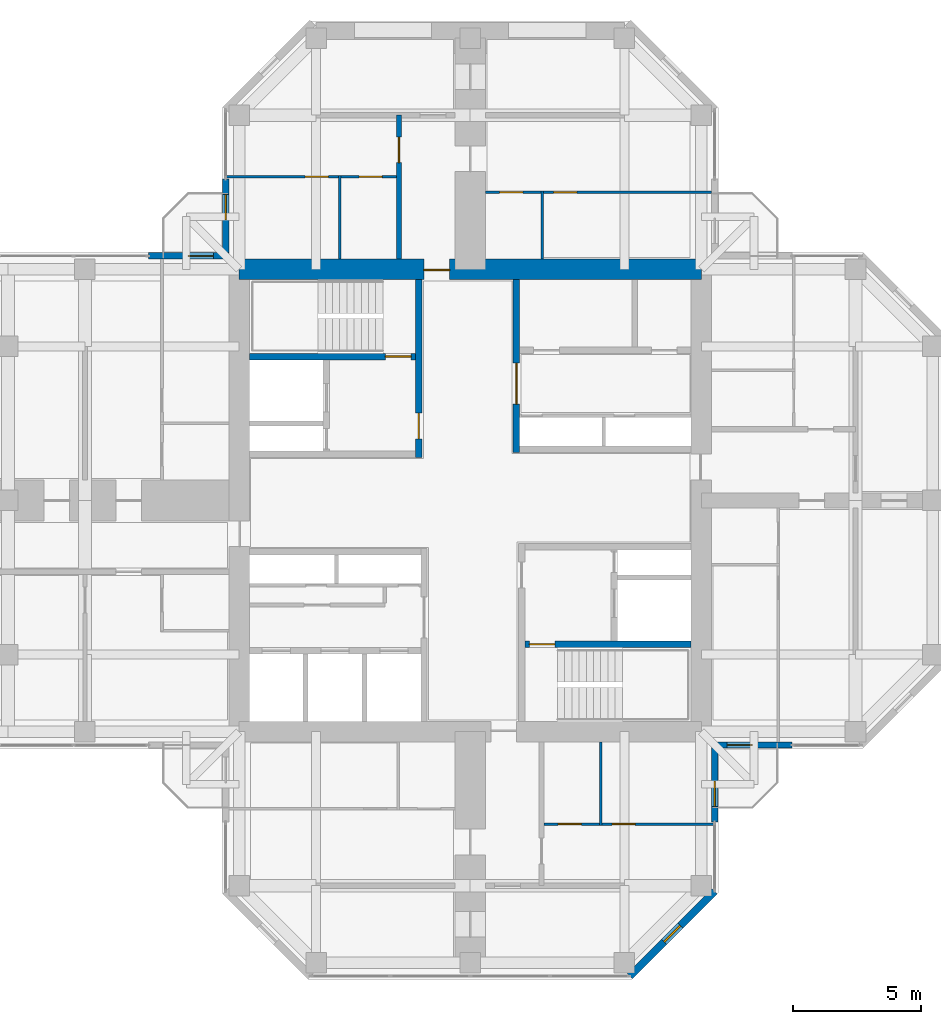
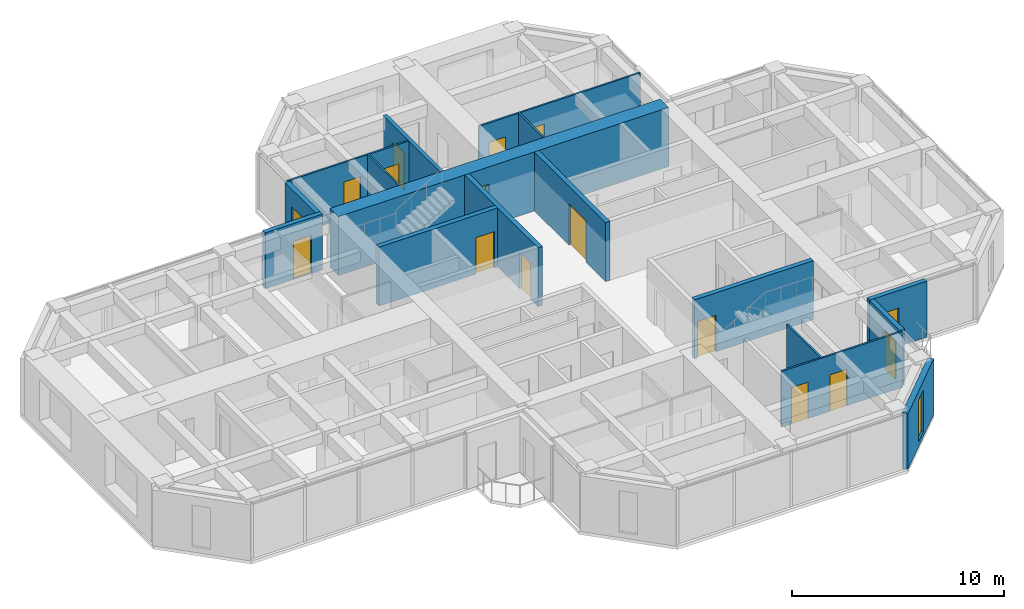
# One storey, part 10 of 13: 17 walls, 16 doors, 1 window, 17 openings.
"""IFC4 building model written with IfcOpenShell, lengths in metres."""

from ifc_helpers import new_model, si_unit, direction, frame, frame_2d, origin, place, context, subcontext, project, spatial, rectangle, hollow_rectangle, extrude, material, layer, layer_set, constituent, constituent_set, type_object, element, fill, save


model = new_model("IFC4")

# Units and contexts
model_context = context("Model", 3, precision=1e-05, world=origin(), true_north=direction((0.0, 1.0)))
body_context = subcontext(model_context, "Body", "Model", "MODEL_VIEW")
ifc_project = project(units=[si_unit("LENGTHUNIT", "METRE"), si_unit("AREAUNIT", "SQUARE_METRE"), si_unit("VOLUMEUNIT", "CUBIC_METRE"), si_unit("PLANEANGLEUNIT", "RADIAN"), si_unit("MASSUNIT", "GRAM", prefix="KILO")], contexts=[model_context])

# Site, building, storey
site_placement = place(None, origin())
site = spatial("IfcSite", under=ifc_project, at=site_placement, CompositionType="ELEMENT")
building_placement = place(site_placement, origin())
building = spatial("IfcBuilding", under=site, at=building_placement, Name="Torre Cruceta", CompositionType="ELEMENT")
storey_placement = place(building_placement, frame((0.0, 0.0, 235.699951171875)))
storey = spatial("IfcBuildingStorey", under=building, at=storey_placement, Name="L60", CompositionType="ELEMENT", Elevation=235.699951171875)

# Wall
ifc_material_1 = material(Name="Water-resistant plasterboard on steel studs", Category="steel")
ifc_layer_1 = layer(ifc_material_1, 0.10009765625)
ifc_layer_set_1 = layer_set([ifc_layer_1], Name="Water-resistant plasterboard on steel studs")
wall_type_1 = type_object("IfcWallType", Name="BATHROOM WALL 100", PredefinedType="PARTITIONING", material=ifc_layer_set_1)
wall_1_placement = place(storey_placement, frame((-5.074951171875, 9.39990234375, 0.0), z_axis=(0.0, 0.0, 1.0), x_axis=(0.0, 1.0, 0.0)))
element("IfcWall", 1, at=wall_1_placement, inside=storey, type_object=wall_type_1, Name="PT4 L60-N-U1LBB", PredefinedType="PARTITIONING", context=body_context, shape_type="SweptSolid", body=[
    extrude(rectangle(XDim=3.25, YDim=0.10009765625, at=frame_2d((1.625, 0.0))), origin(), (0.0, 0.0, 1.0), 3.219970703125),
])

# Wall, openings, doors
wall_2_placement = place(storey_placement, frame((-2.875, 12.60009765625, 0.0), z_axis=(0.0, 0.0, 1.0), x_axis=(-1.0, 0.0, 0.0)))
wall_2 = element("IfcWall", 2, at=wall_2_placement, inside=storey, type_object=wall_type_1, Name="PT4 L60-N-U1LBS", PredefinedType="PARTITIONING", context=body_context, shape_type="SweptSolid", body=[
    extrude(rectangle(XDim=6.60498046875, YDim=0.10009765625, at=frame_2d((3.302490234375, 0.0))), origin(), (0.0, 0.0, 1.0), 3.219970703125),
])
opening_1_placement = place(wall_2_placement, frame((0.550048828125, 0.0, 0.0)))
opening_1 = element("IfcOpeningElement", 3, at=opening_1_placement, cuts=wall_2, Name="Opening D7", PredefinedType="OPENING", context=body_context, shape_type="SweptSolid", body=[
    extrude(rectangle(XDim=0.89990234375, YDim=2.10009765625, at=frame_2d((0.449951171875, 1.050048828125))), frame((0.0, 0.06005859375, 0.0), z_axis=(0.0, -1.0, 0.0), x_axis=(1.0, 0.0, 0.0)), (0.0, 0.0, 1.0), 0.1201171875),
])
opening_2_placement = place(wall_2_placement, frame((2.64990234375, 0.0, 0.0)))
opening_2 = element("IfcOpeningElement", 4, at=opening_2_placement, cuts=wall_2, Name="Opening D7", PredefinedType="OPENING", context=body_context, shape_type="SweptSolid", body=[
    extrude(rectangle(XDim=0.89990234375, YDim=2.10009765625, at=frame_2d((0.449951171875, 1.050048828125))), frame((0.0, 0.06005859375, 0.0), z_axis=(0.0, -1.0, 0.0), x_axis=(1.0, 0.0, 0.0)), (0.0, 0.0, 1.0), 0.1201171875),
])
ifc_material_2 = material(Name="Timber door", Category="wood")
door_type_1 = type_object("IfcDoorType", Name="BATHROOM DOOR 900X2100", OperationType="SINGLE_SWING_LEFT", PredefinedType="DOOR", material=ifc_material_2)
door_1_placement = place(opening_1_placement, origin())
door_1 = element("IfcDoor", 5, at=door_1_placement, inside=storey, type_object=door_type_1, Name="D7 L60-N-U1LBS-D1", OperationType="SINGLE_SWING_LEFT", OverallHeight=2.10009765625, OverallWidth=0.89990234375, PredefinedType="DOOR", context=body_context, shape_type="SweptSolid", body=[
    extrude(rectangle(XDim=0.89990234375, YDim=2.10009765625, at=frame_2d((0.449951171875, 1.050048828125))), frame((0.0, 0.02490234375, 0.0), z_axis=(0.0, -1.0, 0.0), x_axis=(1.0, 0.0, 0.0)), (0.0, 0.0, 1.0), 0.050048828125),
])
fill(opening_1, door_1)
door_2_placement = place(opening_2_placement, origin())
door_2 = element("IfcDoor", 6, at=door_2_placement, inside=storey, type_object=door_type_1, Name="D7 L60-N-U1LBS-D2", OperationType="SINGLE_SWING_LEFT", OverallHeight=2.10009765625, OverallWidth=0.89990234375, PredefinedType="DOOR", context=body_context, shape_type="SweptSolid", body=[
    extrude(rectangle(XDim=0.89990234375, YDim=2.10009765625, at=frame_2d((0.449951171875, 1.050048828125))), frame((0.0, 0.02490234375, 0.0), z_axis=(0.0, -1.0, 0.0), x_axis=(1.0, 0.0, 0.0)), (0.0, 0.0, 1.0), 0.050048828125),
])
fill(opening_2, door_2)

# Wall
wall_3_placement = place(storey_placement, frame((2.800048828125, 9.39990234375, 0.0), z_axis=(0.0, 0.0, 1.0), x_axis=(0.0, 1.0, 0.0)))
element("IfcWall", 7, at=wall_3_placement, inside=storey, type_object=wall_type_1, Name="PT4 L60-N-U1RBB", PredefinedType="PARTITIONING", context=body_context, shape_type="SweptSolid", body=[
    extrude(rectangle(XDim=2.650146484375, YDim=0.10009765625, at=frame_2d((1.3251953125, 0.0))), origin(), (0.0, 0.0, 1.0), 3.219970703125),
])

# Wall, openings, doors
wall_4_placement = place(storey_placement, frame((9.39501953125, 12.0, 0.0), z_axis=(0.0, 0.0, 1.0), x_axis=(-1.0, 0.0, 0.0)))
wall_4 = element("IfcWall", 8, at=wall_4_placement, inside=storey, type_object=wall_type_1, Name="PT4 L60-N-U1RBS", PredefinedType="PARTITIONING", context=body_context, shape_type="SweptSolid", body=[
    extrude(rectangle(XDim=8.794921875, YDim=0.10009765625, at=frame_2d((4.3974609375, 0.0))), origin(), (0.0, 0.0, 1.0), 3.219970703125),
])
opening_3_placement = place(wall_4_placement, frame((5.2451171875, 0.0, 0.0)))
opening_3 = element("IfcOpeningElement", 9, at=opening_3_placement, cuts=wall_4, Name="Opening D7", PredefinedType="OPENING", context=body_context, shape_type="SweptSolid", body=[
    extrude(rectangle(XDim=0.89990234375, YDim=2.10009765625, at=frame_2d((0.449951171875, 1.050048828125))), frame((0.0, 0.06005859375, 0.0), z_axis=(0.0, -1.0, 0.0), x_axis=(1.0, 0.0, 0.0)), (0.0, 0.0, 1.0), 0.1201171875),
])
opening_4_placement = place(wall_4_placement, frame((7.344970703125, 0.0, 0.0)))
opening_4 = element("IfcOpeningElement", 10, at=opening_4_placement, cuts=wall_4, Name="Opening D7", PredefinedType="OPENING", context=body_context, shape_type="SweptSolid", body=[
    extrude(rectangle(XDim=0.89990234375, YDim=2.10009765625, at=frame_2d((0.449951171875, 1.050048828125))), frame((0.0, 0.06005859375, 0.0), z_axis=(0.0, -1.0, 0.0), x_axis=(1.0, 0.0, 0.0)), (0.0, 0.0, 1.0), 0.1201171875),
])
door_3_placement = place(opening_3_placement, origin())
door_3 = element("IfcDoor", 11, at=door_3_placement, inside=storey, type_object=door_type_1, Name="D7 L60-N-U1RBS-D1", OperationType="SINGLE_SWING_RIGHT", OverallHeight=2.10009765625, OverallWidth=0.89990234375, PredefinedType="DOOR", context=body_context, shape_type="SweptSolid", body=[
    extrude(rectangle(XDim=0.89990234375, YDim=2.10009765625, at=frame_2d((0.449951171875, 1.050048828125))), frame((0.0, 0.02490234375, 0.0), z_axis=(0.0, -1.0, 0.0), x_axis=(1.0, 0.0, 0.0)), (0.0, 0.0, 1.0), 0.050048828125),
])
fill(opening_3, door_3)
door_4_placement = place(opening_4_placement, origin())
door_4 = element("IfcDoor", 12, at=door_4_placement, inside=storey, type_object=door_type_1, Name="D7 L60-N-U1RBS-D2", OperationType="SINGLE_SWING_RIGHT", OverallHeight=2.10009765625, OverallWidth=0.89990234375, PredefinedType="DOOR", context=body_context, shape_type="SweptSolid", body=[
    extrude(rectangle(XDim=0.89990234375, YDim=2.10009765625, at=frame_2d((0.449951171875, 1.050048828125))), frame((0.0, 0.02490234375, 0.0), z_axis=(0.0, -1.0, 0.0), x_axis=(1.0, 0.0, 0.0)), (0.0, 0.0, 1.0), 0.050048828125),
])
fill(opening_4, door_4)

# Wall
wall_5_placement = place(storey_placement, frame((5.074951171875, -9.39990234375, 0.0), z_axis=(0.0, 0.0, 1.0), x_axis=(0.0, -1.0, 0.0)))
element("IfcWall", 13, at=wall_5_placement, inside=storey, type_object=wall_type_1, Name="PT4 L60-S-U1LBB", PredefinedType="PARTITIONING", context=body_context, shape_type="SweptSolid", body=[
    extrude(rectangle(XDim=3.25, YDim=0.10009765625, at=frame_2d((1.625, 0.0))), origin(), (0.0, 0.0, 1.0), 3.219970703125),
])

# Wall, openings, doors
wall_6_placement = place(storey_placement, frame((2.875, -12.60009765625, 0.0), z_axis=(0.0, 0.0, 1.0), x_axis=(1.0, 0.0, 0.0)))
wall_6 = element("IfcWall", 14, at=wall_6_placement, inside=storey, type_object=wall_type_1, Name="PT4 L60-S-U1LBS", PredefinedType="PARTITIONING", context=body_context, shape_type="SweptSolid", body=[
    extrude(rectangle(XDim=6.60498046875, YDim=0.10009765625, at=frame_2d((3.302490234375, 0.0))), origin(), (0.0, 0.0, 1.0), 3.219970703125),
])
opening_5_placement = place(wall_6_placement, frame((0.550048828125, 0.0, 0.0)))
opening_5 = element("IfcOpeningElement", 15, at=opening_5_placement, cuts=wall_6, Name="Opening D7", PredefinedType="OPENING", context=body_context, shape_type="SweptSolid", body=[
    extrude(rectangle(XDim=0.89990234375, YDim=2.10009765625, at=frame_2d((0.449951171875, 1.050048828125))), frame((0.0, 0.06005859375, 0.0), z_axis=(0.0, -1.0, 0.0), x_axis=(1.0, 0.0, 0.0)), (0.0, 0.0, 1.0), 0.1201171875),
])
opening_6_placement = place(wall_6_placement, frame((2.64990234375, 0.0, 0.0)))
opening_6 = element("IfcOpeningElement", 16, at=opening_6_placement, cuts=wall_6, Name="Opening D7", PredefinedType="OPENING", context=body_context, shape_type="SweptSolid", body=[
    extrude(rectangle(XDim=0.89990234375, YDim=2.10009765625, at=frame_2d((0.449951171875, 1.050048828125))), frame((0.0, 0.06005859375, 0.0), z_axis=(0.0, -1.0, 0.0), x_axis=(1.0, 0.0, 0.0)), (0.0, 0.0, 1.0), 0.1201171875),
])
door_5_placement = place(opening_5_placement, origin())
door_5 = element("IfcDoor", 17, at=door_5_placement, inside=storey, type_object=door_type_1, Name="D7 L60-S-U1LBS-D1", OperationType="SINGLE_SWING_LEFT", OverallHeight=2.10009765625, OverallWidth=0.89990234375, PredefinedType="DOOR", context=body_context, shape_type="SweptSolid", body=[
    extrude(rectangle(XDim=0.89990234375, YDim=2.10009765625, at=frame_2d((0.449951171875, 1.050048828125))), frame((0.0, 0.02490234375, 0.0), z_axis=(0.0, -1.0, 0.0), x_axis=(1.0, 0.0, 0.0)), (0.0, 0.0, 1.0), 0.050048828125),
])
fill(opening_5, door_5)
door_6_placement = place(opening_6_placement, origin())
door_6 = element("IfcDoor", 18, at=door_6_placement, inside=storey, type_object=door_type_1, Name="D7 L60-S-U1LBS-D2", OperationType="SINGLE_SWING_LEFT", OverallHeight=2.10009765625, OverallWidth=0.89990234375, PredefinedType="DOOR", context=body_context, shape_type="SweptSolid", body=[
    extrude(rectangle(XDim=0.89990234375, YDim=2.10009765625, at=frame_2d((0.449951171875, 1.050048828125))), frame((0.0, 0.02490234375, 0.0), z_axis=(0.0, -1.0, 0.0), x_axis=(1.0, 0.0, 0.0)), (0.0, 0.0, 1.0), 0.050048828125),
])
fill(opening_6, door_6)

# Wall, opening, door
ifc_material_3 = material(Name="Concrete G60 (fck 60 MPa)", Category="concrete")
ifc_layer_2 = layer(ifc_material_3, 0.25)
ifc_layer_set_2 = layer_set([ifc_layer_2], Name="Concrete G60 (fck 60 MPa)")
wall_type_2 = type_object("IfcWallType", Name="CORE INNER WALL 250 G60", PredefinedType="SHEAR", material=ifc_layer_set_2)
wall_7_placement = place(storey_placement, frame((1.800048828125, 1.875, 0.0), z_axis=(0.0, 0.0, 1.0), x_axis=(0.0, 1.0, 0.0)))
wall_7 = element("IfcWall", 19, at=wall_7_placement, inside=storey, type_object=wall_type_2, Name="CW4 L60 NE-CU", PredefinedType="SHEAR", context=body_context, shape_type="SweptSolid", body=[
    extrude(rectangle(XDim=6.72509765625, YDim=0.25, at=frame_2d((3.362548828125, 0.0))), origin(), (0.0, 0.0, 1.0), 3.400146484375),
])
opening_7_placement = place(wall_7_placement, frame((1.875, 0.0, 0.0)))
opening_7 = element("IfcOpeningElement", 20, at=opening_7_placement, cuts=wall_7, Name="Opening D15", PredefinedType="OPENING", context=body_context, shape_type="SweptSolid", body=[
    extrude(rectangle(XDim=1.60009765625, YDim=2.39990234375, at=frame_2d((0.800048828125, 1.199951171875))), frame((0.0, 0.135009765625, 0.0), z_axis=(0.0, -1.0, 0.0), x_axis=(1.0, 0.0, 0.0)), (0.0, 0.0, 1.0), 0.27001953125),
])
ifc_material_4 = material(Name="Steel DX51D", Category="steel")
ifc_constituent_1 = constituent(ifc_material_4, Name="Leaf and frame")
ifc_material_5 = material(Name="Polyester powder coating", Category="paint")
ifc_constituent_2 = constituent(ifc_material_5, Name="Finish")
ifc_constituent_set_1 = constituent_set(constituents=[ifc_constituent_1, ifc_constituent_2], Name="Steel fire door")
door_type_2 = type_object("IfcDoorType", Name="CORE ROOM DOUBLE DOOR 1600X2400", OperationType="DOUBLE_DOOR_SINGLE_SWING", PredefinedType="DOOR", material=ifc_constituent_set_1)
door_7_placement = place(opening_7_placement, frame((1.60009765625, 0.0, 0.0), z_axis=(0.0, 0.0, 1.0), x_axis=(-1.0, 0.0, 0.0)))
door_7 = element("IfcDoor", 21, at=door_7_placement, inside=storey, type_object=door_type_2, Name="D15 L60 NE-LOBBY", OperationType="DOUBLE_DOOR_SINGLE_SWING", OverallHeight=2.39990234375, OverallWidth=1.60009765625, PredefinedType="DOOR", context=body_context, shape_type="SweptSolid", body=[
    extrude(rectangle(XDim=1.60009765625, YDim=2.39990234375, at=frame_2d((0.800048828125, 1.199951171875))), frame((0.0, 0.025146484375, 0.0), z_axis=(0.0, -1.0, 0.0), x_axis=(1.0, 0.0, 0.0)), (0.0, 0.0, 1.0), 0.050048828125),
])
fill(opening_7, door_7)

wall_8_placement = place(storey_placement, frame((-2.0, 1.675048828125, 0.0), z_axis=(0.0, 0.0, 1.0), x_axis=(0.0, 1.0, 0.0)))
wall_8 = element("IfcWall", 22, at=wall_8_placement, inside=storey, type_object=wall_type_2, Name="CW4 L60 NW-CU", PredefinedType="SHEAR", context=body_context, shape_type="SweptSolid", body=[
    extrude(rectangle(XDim=6.925048828125, YDim=0.25, at=frame_2d((3.46240234375, 0.0))), origin(), (0.0, 0.0, 1.0), 3.400146484375),
])
opening_8_placement = place(wall_8_placement, frame((0.72509765625, 0.0, 0.0)))
opening_8 = element("IfcOpeningElement", 23, at=opening_8_placement, cuts=wall_8, Name="Opening D3", PredefinedType="OPENING", context=body_context, shape_type="SweptSolid", body=[
    extrude(rectangle(XDim=1.0, YDim=2.10009765625, at=frame_2d((0.5, 1.050048828125))), frame((0.0, 0.135009765625, 0.0), z_axis=(0.0, -1.0, 0.0), x_axis=(1.0, 0.0, 0.0)), (0.0, 0.0, 1.0), 0.27001953125),
])
ifc_material_6 = material(Name="Steel DX51D", Category="steel")
ifc_constituent_3 = constituent(ifc_material_6, Name="Leaf and frame")
ifc_material_7 = material(Name="Polyester powder coating", Category="paint")
ifc_constituent_4 = constituent(ifc_material_7, Name="Finish")
ifc_constituent_set_2 = constituent_set(constituents=[ifc_constituent_3, ifc_constituent_4], Name="Steel fire door")
door_type_3 = type_object("IfcDoorType", Name="FIRE DOOR 1000X2100", OperationType="SINGLE_SWING_LEFT", PredefinedType="DOOR", material=ifc_constituent_set_2)
door_8_placement = place(opening_8_placement, origin())
door_8 = element("IfcDoor", 24, at=door_8_placement, inside=storey, type_object=door_type_3, Name="D3 L60 NW-LOBBY", OperationType="SINGLE_SWING_LEFT", OverallHeight=2.10009765625, OverallWidth=1.0, PredefinedType="DOOR", context=body_context, shape_type="SweptSolid", body=[
    extrude(rectangle(XDim=1.0, YDim=2.10009765625, at=frame_2d((0.5, 1.050048828125))), frame((0.0, 0.02490234375, 0.0), z_axis=(0.0, -1.0, 0.0), x_axis=(1.0, 0.0, 0.0)), (0.0, 0.0, 1.0), 0.050048828125),
])
fill(opening_8, door_8)

wall_9_placement = place(storey_placement, frame((-2.125, 5.60009765625, 0.0), z_axis=(0.0, 0.0, 1.0), x_axis=(-1.0, 0.0, 0.0)))
wall_9 = element("IfcWall", 25, at=wall_9_placement, inside=storey, type_object=wall_type_2, Name="CW4 L60 NW-SV", PredefinedType="SHEAR", context=body_context, shape_type="SweptSolid", body=[
    extrude(rectangle(XDim=6.47509765625, YDim=0.25, at=frame_2d((3.237548828125, 0.0))), origin(), (0.0, 0.0, 1.0), 3.400146484375),
])
opening_9_placement = place(wall_9_placement, frame((0.175048828125, 0.0, 0.0)))
opening_9 = element("IfcOpeningElement", 26, at=opening_9_placement, cuts=wall_9, Name="Opening D3", PredefinedType="OPENING", context=body_context, shape_type="SweptSolid", body=[
    extrude(rectangle(XDim=1.0, YDim=2.10009765625, at=frame_2d((0.5, 1.050048828125))), frame((0.0, 0.135009765625, 0.0), z_axis=(0.0, -1.0, 0.0), x_axis=(1.0, 0.0, 0.0)), (0.0, 0.0, 1.0), 0.27001953125),
])
door_9_placement = place(opening_9_placement, frame((1.0, 0.0, 0.0), z_axis=(0.0, 0.0, 1.0), x_axis=(-1.0, 0.0, 0.0)))
door_9 = element("IfcDoor", 27, at=door_9_placement, inside=storey, type_object=door_type_3, Name="D3 L60 NW-STAIR", OperationType="SINGLE_SWING_RIGHT", OverallHeight=2.10009765625, OverallWidth=1.0, PredefinedType="DOOR", context=body_context, shape_type="SweptSolid", body=[
    extrude(rectangle(XDim=1.0, YDim=2.10009765625, at=frame_2d((0.5, 1.050048828125))), frame((0.0, 0.025146484375, 0.0), z_axis=(0.0, -1.0, 0.0), x_axis=(1.0, 0.0, 0.0)), (0.0, 0.0, 1.0), 0.050048828125),
])
fill(opening_9, door_9)

wall_10_placement = place(storey_placement, frame((2.125, -5.60009765625, 0.0), z_axis=(0.0, 0.0, 1.0), x_axis=(1.0, 0.0, 0.0)))
wall_10 = element("IfcWall", 28, at=wall_10_placement, inside=storey, type_object=wall_type_2, Name="CW4 L60 SE-SV", PredefinedType="SHEAR", context=body_context, shape_type="SweptSolid", body=[
    extrude(rectangle(XDim=6.47509765625, YDim=0.25, at=frame_2d((3.237548828125, 0.0))), origin(), (0.0, 0.0, 1.0), 3.400146484375),
])
opening_10_placement = place(wall_10_placement, frame((0.175048828125, 0.0, 0.0)))
opening_10 = element("IfcOpeningElement", 29, at=opening_10_placement, cuts=wall_10, Name="Opening D3", PredefinedType="OPENING", context=body_context, shape_type="SweptSolid", body=[
    extrude(rectangle(XDim=1.0, YDim=2.10009765625, at=frame_2d((0.5, 1.050048828125))), frame((0.0, 0.135009765625, 0.0), z_axis=(0.0, -1.0, 0.0), x_axis=(1.0, 0.0, 0.0)), (0.0, 0.0, 1.0), 0.27001953125),
])
door_10_placement = place(opening_10_placement, frame((1.0, 0.0, 0.0), z_axis=(0.0, 0.0, 1.0), x_axis=(-1.0, 0.0, 0.0)))
door_10 = element("IfcDoor", 30, at=door_10_placement, inside=storey, type_object=door_type_3, Name="D3 L60 SE-STAIR", OperationType="SINGLE_SWING_RIGHT", OverallHeight=2.10009765625, OverallWidth=1.0, PredefinedType="DOOR", context=body_context, shape_type="SweptSolid", body=[
    extrude(rectangle(XDim=1.0, YDim=2.10009765625, at=frame_2d((0.5, 1.050048828125))), frame((0.0, 0.025146484375, 0.0), z_axis=(0.0, -1.0, 0.0), x_axis=(1.0, 0.0, 0.0)), (0.0, 0.0, 1.0), 0.050048828125),
])
fill(opening_10, door_10)

ifc_material_8 = material(Name="Concrete G60 (fck 60 MPa)", Category="concrete")
ifc_layer_3 = layer(ifc_material_8, 0.800048828125)
ifc_layer_set_3 = layer_set([ifc_layer_3], Name="Concrete G60 (fck 60 MPa)")
wall_type_3 = type_object("IfcWallType", Name="CORE WALL 800 G60", PredefinedType="SHEAR", material=ifc_layer_set_3)
wall_11_placement = place(storey_placement, frame((9.0, 9.0, 0.0), z_axis=(0.0, 0.0, 1.0), x_axis=(-1.0, 0.0, 0.0)))
wall_11 = element("IfcWall", 31, at=wall_11_placement, inside=storey, type_object=wall_type_3, Name="CW3 L60 CW-N", PredefinedType="SHEAR", context=body_context, shape_type="SweptSolid", body=[
    extrude(rectangle(XDim=18.0, YDim=0.800048828125, at=frame_2d((9.0, 0.0))), origin(), (0.0, 0.0, 1.0), 3.400146484375),
])
opening_11_placement = place(wall_11_placement, frame((9.800048828125, 0.0, 0.0)))
opening_11 = element("IfcOpeningElement", 32, at=opening_11_placement, cuts=wall_11, Name="Opening D4", PredefinedType="OPENING", context=body_context, shape_type="SweptSolid", body=[
    extrude(rectangle(XDim=1.0, YDim=2.39990234375, at=frame_2d((0.5, 1.199951171875))), frame((0.0, 0.409912109375, 0.0), z_axis=(0.0, -1.0, 0.0), x_axis=(1.0, 0.0, 0.0)), (0.0, 0.0, 1.0), 0.820068359375),
])
ifc_material_9 = material(Name="Steel DX51D", Category="steel")
ifc_constituent_5 = constituent(ifc_material_9, Name="Leaf and frame")
ifc_material_10 = material(Name="Polyester powder coating", Category="paint")
ifc_constituent_6 = constituent(ifc_material_10, Name="Finish")
ifc_constituent_set_3 = constituent_set(constituents=[ifc_constituent_5, ifc_constituent_6], Name="Steel fire door")
door_type_4 = type_object("IfcDoorType", Name="CORE ARM DOOR 1000X2400", OperationType="SINGLE_SWING_RIGHT", PredefinedType="DOOR", material=ifc_constituent_set_3)
door_11_placement = place(opening_11_placement, origin())
door_11 = element("IfcDoor", 33, at=door_11_placement, inside=storey, type_object=door_type_4, Name="D4 L60 CW-N", OperationType="SINGLE_SWING_RIGHT", OverallHeight=2.39990234375, OverallWidth=1.0, PredefinedType="DOOR", context=body_context, shape_type="SweptSolid", body=[
    extrude(rectangle(XDim=1.0, YDim=2.39990234375, at=frame_2d((0.5, 1.199951171875))), frame((0.0, 0.05517578125, 0.0), z_axis=(0.0, -1.0, 0.0), x_axis=(1.0, 0.0, 0.0)), (0.0, 0.0, 1.0), 0.050048828125),
])
fill(opening_11, door_11)

ifc_material_11 = material(Name="Concrete G25 (fck 25 MPa)", Category="concrete")
ifc_layer_4 = layer(ifc_material_11, 0.199951171875)
ifc_layer_set_4 = layer_set([ifc_layer_4], Name="Concrete G25 (fck 25 MPa)")
wall_type_4 = type_object("IfcWallType", Name="CORRIDOR WALL 200", PredefinedType="SOLIDWALL", material=ifc_layer_set_4)
wall_12_placement = place(storey_placement, frame((-2.77490234375, 9.39990234375, 0.0), z_axis=(0.0, 0.0, 1.0), x_axis=(0.0, 1.0, 0.0)))
wall_12 = element("IfcWall", 34, at=wall_12_placement, inside=storey, type_object=wall_type_4, Name="PT3 L60-N-CL", PredefinedType="SOLIDWALL", context=body_context, shape_type="SweptSolid", body=[
    extrude(rectangle(XDim=5.60009765625, YDim=0.199951171875, at=frame_2d((2.800048828125, 0.0))), origin(), (0.0, 0.0, 1.0), 3.219970703125),
])
opening_12_placement = place(wall_12_placement, frame((3.75, 0.0, 0.0)))
opening_12 = element("IfcOpeningElement", 35, at=opening_12_placement, cuts=wall_12, Name="Opening D6", PredefinedType="OPENING", context=body_context, shape_type="SweptSolid", body=[
    extrude(rectangle(XDim=1.0, YDim=2.14990234375, at=frame_2d((0.5, 1.074951171875))), frame((0.0, 0.10986328125, 0.0), z_axis=(0.0, -1.0, 0.0), x_axis=(1.0, 0.0, 0.0)), (0.0, 0.0, 1.0), 0.219970703125),
])
ifc_material_12 = material(Name="Timber fire door", Category="wood")
door_type_5 = type_object("IfcDoorType", Name="UNIT ENTRANCE DOOR 1000X2150", OperationType="SINGLE_SWING_LEFT", PredefinedType="DOOR", material=ifc_material_12)
door_12_placement = place(opening_12_placement, origin())
door_12 = element("IfcDoor", 36, at=door_12_placement, inside=storey, type_object=door_type_5, Name="D6 L60-N-CL-D1", OperationType="SINGLE_SWING_LEFT", OverallHeight=2.14990234375, OverallWidth=1.0, PredefinedType="DOOR", context=body_context, shape_type="SweptSolid", body=[
    extrude(rectangle(XDim=1.0, YDim=2.14990234375, at=frame_2d((0.5, 1.074951171875))), frame((0.0, 0.02490234375, 0.0), z_axis=(0.0, -1.0, 0.0), x_axis=(1.0, 0.0, 0.0)), (0.0, 0.0, 1.0), 0.050048828125),
])
fill(opening_12, door_12)

# Wall, opening, window
ifc_material_13 = material(Name="Concrete G30 (fck 30 MPa)", Category="concrete")
ifc_layer_5 = layer(ifc_material_13, 0.300048828125)
ifc_layer_set_5 = layer_set([ifc_layer_5], Name="Concrete G30 (fck 30 MPa)")
wall_type_5 = type_object("IfcWallType", Name="EXPOSED CONCRETE FACADE WALL 300", PredefinedType="SOLIDWALL", material=ifc_layer_set_5)
wall_13_placement = place(storey_placement, frame((6.21533203125, -18.52001953125, 0.0), z_axis=(0.0, 0.0, 1.0), x_axis=(0.707106781187, 0.707106781187, 0.0)))
wall_13 = element("IfcWall", 37, at=wall_13_placement, inside=storey, type_object=wall_type_5, Name="EW1 facade wall L60 S chamfer 18", PredefinedType="SOLIDWALL", context=body_context, shape_type="SweptSolid", body=[
    extrude(rectangle(XDim=4.673583984375, YDim=0.300048828125, at=frame_2d((2.3369140625, 0.0))), origin(), (0.0, 0.0, 1.0), 3.219970703125),
])
opening_13_placement = place(wall_13_placement, frame((1.88671875, 0.0, 0.300048828125)))
opening_13 = element("IfcOpeningElement", 38, at=opening_13_placement, cuts=wall_13, Name="Opening WN5", PredefinedType="OPENING", context=body_context, shape_type="SweptSolid", body=[
    extrude(rectangle(XDim=0.89990234375, YDim=2.39990234375, at=frame_2d((0.449951171875, 1.199951171875))), frame((0.0, 0.159912109375, 0.0), z_axis=(0.0, -1.0, 0.0), x_axis=(1.0, 0.0, 0.0)), (0.0, 0.0, 1.0), 0.320068359375),
])
ifc_material_14 = material(Name="Aluminium window frame", Category="aluminium")
ifc_constituent_7 = constituent(ifc_material_14, Name="Frame")
ifc_material_15 = material(Name="Laminated insulating glass unit, low-iron clear", Category="glass")
ifc_constituent_8 = constituent(ifc_material_15, Name="Glazing")
ifc_constituent_set_4 = constituent_set(constituents=[ifc_constituent_7, ifc_constituent_8], Name="Aluminium window")
window_type = type_object("IfcWindowType", Name="CHAMFER SLOT WINDOW 900X2400", PartitioningType="SINGLE_PANEL", PredefinedType="WINDOW", material=ifc_constituent_set_4)
window_placement = place(opening_13_placement, origin())
window = element("IfcWindow", 39, at=window_placement, inside=storey, type_object=window_type, Name="WN5 L60 S 1", OverallHeight=2.39990234375, OverallWidth=0.89990234375, PartitioningType="SINGLE_PANEL", PredefinedType="WINDOW", context=body_context, shape_type="SweptSolid", body=[
    extrude(hollow_rectangle(XDim=0.89990234375, YDim=2.39990234375, WallThickness=0.06005859375, at=frame_2d((0.449951171875, 1.199951171875))), frame((0.0, 0.030029296875, 0.0), z_axis=(0.0, -1.0, 0.0), x_axis=(1.0, 0.0, 0.0)), (0.0, 0.0, 1.0), 0.06005859375),
    extrude(rectangle(XDim=0.77880859375, YDim=2.27880859375, at=frame_2d((0.449951171875, 1.199951171875))), frame((0.0, 0.030029296875, 0.0), z_axis=(0.0, -1.0, 0.0), x_axis=(1.0, 0.0, 0.0)), (0.0, 0.0, 1.0), 0.06005859375),
])
fill(opening_13, window)

# Wall, opening, door
ifc_material_16 = material(Name="Concrete G30 (fck 30 MPa)", Category="concrete")
ifc_layer_6 = layer(ifc_material_16, 0.25)
ifc_layer_set_6 = layer_set([ifc_layer_6], Name="Concrete G30 (fck 30 MPa)")
wall_type_6 = type_object("IfcWallType", Name="WINTER GARDEN WALL 250", PredefinedType="SOLIDWALL", material=ifc_layer_set_6)
wall_14_placement = place(storey_placement, frame((9.39501953125, -9.52001953125, 0.0), z_axis=(0.0, 0.0, 1.0), x_axis=(1.0, 0.0, 0.0)))
wall_14 = element("IfcWall", 40, at=wall_14_placement, inside=storey, type_object=wall_type_6, Name="EW2 winter garden wall L60 00", PredefinedType="SOLIDWALL", context=body_context, shape_type="SweptSolid", body=[
    extrude(rectangle(XDim=3.125, YDim=0.25, at=frame_2d((1.5625, 0.0))), origin(), (0.0, 0.0, 1.0), 3.219970703125),
])
opening_14_placement = place(wall_14_placement, frame((0.60009765625, 0.0, 0.0)))
opening_14 = element("IfcOpeningElement", 41, at=opening_14_placement, cuts=wall_14, Name="Opening D10", PredefinedType="OPENING", context=body_context, shape_type="SweptSolid", body=[
    extrude(rectangle(XDim=1.0, YDim=2.199951171875, at=frame_2d((0.5, 1.10009765625))), frame((0.0, 0.135009765625, 0.0), z_axis=(0.0, -1.0, 0.0), x_axis=(1.0, 0.0, 0.0)), (0.0, 0.0, 1.0), 0.27001953125),
])
ifc_material_17 = material(Name="Aluminium door frame", Category="aluminium")
ifc_constituent_9 = constituent(ifc_material_17, Name="Frame")
ifc_material_18 = material(Name="Laminated safety glass", Category="glass")
ifc_constituent_10 = constituent(ifc_material_18, Name="Glazing")
ifc_constituent_set_5 = constituent_set(constituents=[ifc_constituent_9, ifc_constituent_10], Name="Aluminium glazed door")
door_type_6 = type_object("IfcDoorType", Name="BALCONY DOOR 1000X2200", OperationType="SINGLE_SWING_RIGHT", PredefinedType="DOOR", material=ifc_constituent_set_5)
door_13_placement = place(opening_14_placement, origin())
door_13 = element("IfcDoor", 42, at=door_13_placement, inside=storey, type_object=door_type_6, Name="D10 balcony door L60 00", OperationType="SINGLE_SWING_RIGHT", OverallHeight=2.199951171875, OverallWidth=1.0, PredefinedType="DOOR", context=body_context, shape_type="SweptSolid", body=[
    extrude(hollow_rectangle(XDim=1.0, YDim=2.199951171875, WallThickness=0.06005859375, at=frame_2d((0.5, 1.10009765625))), frame((0.0, 0.02490234375, 0.0), z_axis=(0.0, -1.0, 0.0), x_axis=(1.0, 0.0, 0.0)), (0.0, 0.0, 1.0), 0.050048828125),
    extrude(rectangle(XDim=0.87890625, YDim=2.078857421875, at=frame_2d((0.5, 1.10009765625))), frame((0.0, 0.02490234375, 0.0), z_axis=(0.0, -1.0, 0.0), x_axis=(1.0, 0.0, 0.0)), (0.0, 0.0, 1.0), 0.050048828125),
])
fill(opening_14, door_13)

wall_15_placement = place(storey_placement, frame((-9.52001953125, 12.52001953125, 0.0), z_axis=(0.0, 0.0, 1.0), x_axis=(0.0, -1.0, 0.0)))
wall_15 = element("IfcWall", 43, at=wall_15_placement, inside=storey, type_object=wall_type_6, Name="EW2 winter garden wall L60 09", PredefinedType="SOLIDWALL", context=body_context, shape_type="SweptSolid", body=[
    extrude(rectangle(XDim=2.875, YDim=0.25, at=frame_2d((1.4375, 0.0))), origin(), (0.0, 0.0, 1.0), 3.219970703125),
])
opening_15_placement = place(wall_15_placement, frame((0.60009765625, 0.0, 0.0)))
opening_15 = element("IfcOpeningElement", 44, at=opening_15_placement, cuts=wall_15, Name="Opening D10", PredefinedType="OPENING", context=body_context, shape_type="SweptSolid", body=[
    extrude(rectangle(XDim=1.0, YDim=2.199951171875, at=frame_2d((0.5, 1.10009765625))), frame((0.0, 0.135009765625, 0.0), z_axis=(0.0, -1.0, 0.0), x_axis=(1.0, 0.0, 0.0)), (0.0, 0.0, 1.0), 0.27001953125),
])
door_14_placement = place(opening_15_placement, origin())
door_14 = element("IfcDoor", 45, at=door_14_placement, inside=storey, type_object=door_type_6, Name="D10 balcony door L60 09", OperationType="SINGLE_SWING_LEFT", OverallHeight=2.199951171875, OverallWidth=1.0, PredefinedType="DOOR", context=body_context, shape_type="SweptSolid", body=[
    extrude(hollow_rectangle(XDim=1.0, YDim=2.199951171875, WallThickness=0.06005859375, at=frame_2d((0.5, 1.10009765625))), frame((0.0, 0.02490234375, 0.0), z_axis=(0.0, -1.0, 0.0), x_axis=(1.0, 0.0, 0.0)), (0.0, 0.0, 1.0), 0.050048828125),
    extrude(rectangle(XDim=0.87890625, YDim=2.078857421875, at=frame_2d((0.5, 1.10009765625))), frame((0.0, 0.02490234375, 0.0), z_axis=(0.0, -1.0, 0.0), x_axis=(1.0, 0.0, 0.0)), (0.0, 0.0, 1.0), 0.050048828125),
])
fill(opening_15, door_14)

wall_16_placement = place(storey_placement, frame((-9.39501953125, 9.52001953125, 0.0), z_axis=(0.0, 0.0, 1.0), x_axis=(-1.0, 0.0, 0.0)))
wall_16 = element("IfcWall", 46, at=wall_16_placement, inside=storey, type_object=wall_type_6, Name="EW2 winter garden wall L60 10", PredefinedType="SOLIDWALL", context=body_context, shape_type="SweptSolid", body=[
    extrude(rectangle(XDim=3.125, YDim=0.25, at=frame_2d((1.5625, 0.0))), origin(), (0.0, 0.0, 1.0), 3.219970703125),
])
opening_16_placement = place(wall_16_placement, frame((0.60009765625, 0.0, 0.0)))
opening_16 = element("IfcOpeningElement", 47, at=opening_16_placement, cuts=wall_16, Name="Opening D10", PredefinedType="OPENING", context=body_context, shape_type="SweptSolid", body=[
    extrude(rectangle(XDim=1.0, YDim=2.199951171875, at=frame_2d((0.5, 1.10009765625))), frame((0.0, 0.135009765625, 0.0), z_axis=(0.0, -1.0, 0.0), x_axis=(1.0, 0.0, 0.0)), (0.0, 0.0, 1.0), 0.27001953125),
])
door_15_placement = place(opening_16_placement, origin())
door_15 = element("IfcDoor", 48, at=door_15_placement, inside=storey, type_object=door_type_6, Name="D10 balcony door L60 10", OperationType="SINGLE_SWING_RIGHT", OverallHeight=2.199951171875, OverallWidth=1.0, PredefinedType="DOOR", context=body_context, shape_type="SweptSolid", body=[
    extrude(hollow_rectangle(XDim=1.0, YDim=2.199951171875, WallThickness=0.06005859375, at=frame_2d((0.5, 1.10009765625))), frame((0.0, 0.02490234375, 0.0), z_axis=(0.0, -1.0, 0.0), x_axis=(1.0, 0.0, 0.0)), (0.0, 0.0, 1.0), 0.050048828125),
    extrude(rectangle(XDim=0.87890625, YDim=2.078857421875, at=frame_2d((0.5, 1.10009765625))), frame((0.0, 0.02490234375, 0.0), z_axis=(0.0, -1.0, 0.0), x_axis=(1.0, 0.0, 0.0)), (0.0, 0.0, 1.0), 0.050048828125),
])
fill(opening_16, door_15)

wall_17_placement = place(storey_placement, frame((9.52001953125, -12.52001953125, 0.0), z_axis=(0.0, 0.0, 1.0), x_axis=(0.0, 1.0, 0.0)))
wall_17 = element("IfcWall", 49, at=wall_17_placement, inside=storey, type_object=wall_type_6, Name="EW2 winter garden wall L60 19", PredefinedType="SOLIDWALL", context=body_context, shape_type="SweptSolid", body=[
    extrude(rectangle(XDim=2.875, YDim=0.25, at=frame_2d((1.4375, 0.0))), origin(), (0.0, 0.0, 1.0), 3.219970703125),
])
opening_17_placement = place(wall_17_placement, frame((0.60009765625, 0.0, 0.0)))
opening_17 = element("IfcOpeningElement", 50, at=opening_17_placement, cuts=wall_17, Name="Opening D10", PredefinedType="OPENING", context=body_context, shape_type="SweptSolid", body=[
    extrude(rectangle(XDim=1.0, YDim=2.199951171875, at=frame_2d((0.5, 1.10009765625))), frame((0.0, 0.135009765625, 0.0), z_axis=(0.0, -1.0, 0.0), x_axis=(1.0, 0.0, 0.0)), (0.0, 0.0, 1.0), 0.27001953125),
])
door_16_placement = place(opening_17_placement, origin())
door_16 = element("IfcDoor", 51, at=door_16_placement, inside=storey, type_object=door_type_6, Name="D10 balcony door L60 19", OperationType="SINGLE_SWING_LEFT", OverallHeight=2.199951171875, OverallWidth=1.0, PredefinedType="DOOR", context=body_context, shape_type="SweptSolid", body=[
    extrude(hollow_rectangle(XDim=1.0, YDim=2.199951171875, WallThickness=0.06005859375, at=frame_2d((0.5, 1.10009765625))), frame((0.0, 0.02490234375, 0.0), z_axis=(0.0, -1.0, 0.0), x_axis=(1.0, 0.0, 0.0)), (0.0, 0.0, 1.0), 0.050048828125),
    extrude(rectangle(XDim=0.87890625, YDim=2.078857421875, at=frame_2d((0.5, 1.10009765625))), frame((0.0, 0.02490234375, 0.0), z_axis=(0.0, -1.0, 0.0), x_axis=(1.0, 0.0, 0.0)), (0.0, 0.0, 1.0), 0.050048828125),
])
fill(opening_17, door_16)

save(model, "model.ifc")
